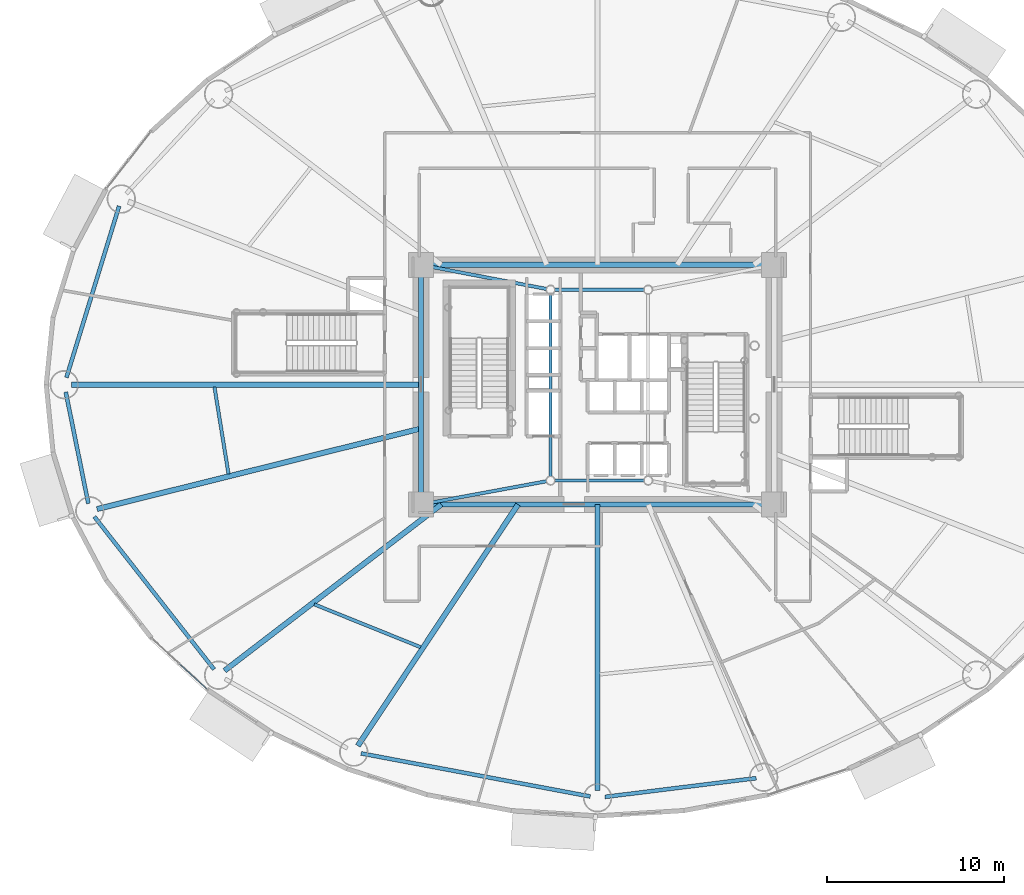
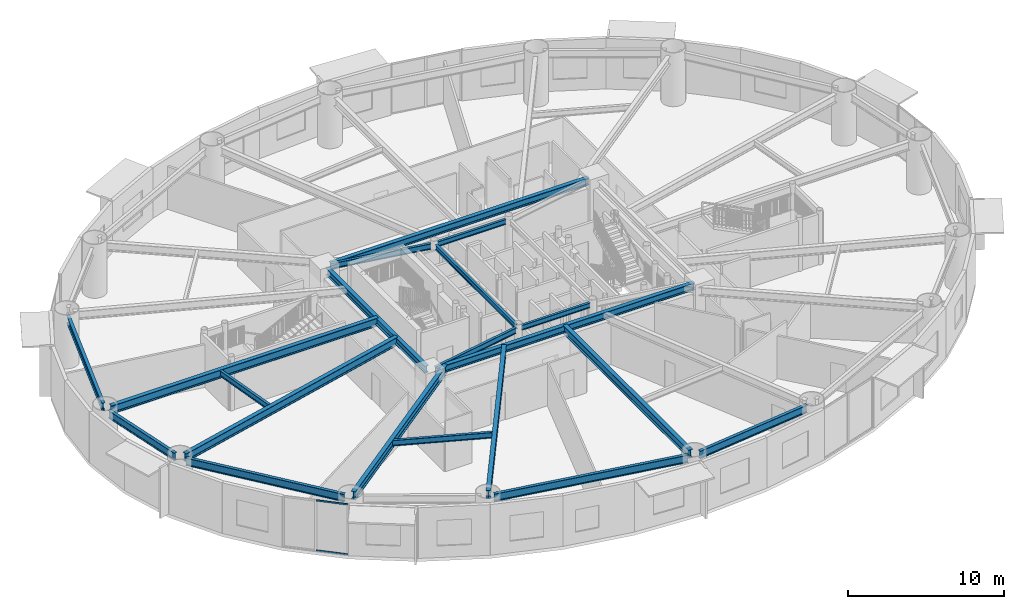
# One storey, part 5 of 28: 20 beams, 2 members, 1 element without a shape of its own.
"""IFC4 building model written with IfcOpenShell, lengths in metres."""

from ifc_helpers import new_model, si_unit, direction, frame, origin, origin_2d, place, context, subcontext, project, spatial, hollow_rectangle, i_section, extrude, source, transform, mapped, material, layer, layer_set, material_profile, profile_set, type_object, element, aggregate, save


model = new_model("IFC4")

# Units and contexts
model_context = context("Model", 3, precision=1e-05, world=origin(), true_north=direction((0.0, 1.0)))
body_context = subcontext(model_context, "Body", "Model", "MODEL_VIEW")
ifc_project = project(units=[si_unit("LENGTHUNIT", "METRE"), si_unit("AREAUNIT", "SQUARE_METRE"), si_unit("VOLUMEUNIT", "CUBIC_METRE"), si_unit("PLANEANGLEUNIT", "RADIAN"), si_unit("MASSUNIT", "GRAM", prefix="KILO")], contexts=[model_context])

# Site, building, storey
site_placement = place(None, origin())
site = spatial("IfcSite", under=ifc_project, at=site_placement, CompositionType="ELEMENT")
building_placement = place(site_placement, origin())
building = spatial("IfcBuilding", under=site, at=building_placement, Name="Linh Dai School and Residence Tower", CompositionType="ELEMENT")
storey_placement = place(building_placement, frame((0.0, 0.0, 36.60009765625)))
storey = spatial("IfcBuildingStorey", under=building, at=storey_placement, Name="L08", CompositionType="ELEMENT", Elevation=36.60009765625)

# Beams
ifc_material_1 = material(Name="Structural Steel S355JR", Category="steel")
ifc_material_profile_1 = material_profile(ifc_material_1, i_section(OverallWidth=0.219970703125, OverallDepth=0.60009765625, WebThickness=0.011962890625, FlangeThickness=0.01904296875, FilletRadius=0.02392578125, at=origin_2d()), Name="IPE 600")
ifc_profile_set_1 = profile_set([ifc_material_profile_1], Name="Structural Steel S355JR")
beam_type_1 = type_object("IfcBeamType", Name="BM-RB60", PredefinedType="BEAM", material=ifc_profile_set_1)
beam_1_placement = place(storey_placement, frame((9.041259765625, 37.062255859375, 3.64990234375), z_axis=(-0.293673329015, -0.95590584046, 0.0), x_axis=(0.95590584046, -0.293673329015, 0.0)))
element("IfcBeam", 1, at=beam_1_placement, inside=storey, type_object=beam_type_1, Name="L08 Perimeter Elliptical Ring Beam 08", PredefinedType="BEAM", context=body_context, shape_type="SweptSolid", body=[
    extrude(i_section(OverallWidth=0.219970703125, OverallDepth=0.60009765625, WebThickness=0.011962890625, FlangeThickness=0.01904296875, FilletRadius=0.02392578125, at=origin_2d()), origin(), (0.0, 0.0, 1.0), 10.1064453125),
])
beam_2_placement = place(storey_placement, frame((6.033447265625, 26.58837890625, 3.64990234375), z_axis=(0.198429171022, -0.980115230005, 0.0), x_axis=(0.980115230005, 0.198429171022, 0.0)))
element("IfcBeam", 2, at=beam_2_placement, inside=storey, type_object=beam_type_1, Name="L08 Perimeter Elliptical Ring Beam 09", PredefinedType="BEAM", context=body_context, shape_type="SweptSolid", body=[
    extrude(i_section(OverallWidth=0.219970703125, OverallDepth=0.60009765625, WebThickness=0.011962890625, FlangeThickness=0.01904296875, FilletRadius=0.02392578125, at=origin_2d()), origin(), (0.0, 0.0, 1.0), 6.41259765625),
])
beam_3_placement = place(storey_placement, frame((7.648193359375, 19.560791015625, 3.64990234375), z_axis=(0.616878670407, -0.787058260866, 0.0), x_axis=(0.787058260866, 0.616878670407, 0.0)))
element("IfcBeam", 3, at=beam_3_placement, inside=storey, type_object=beam_type_1, Name="L08 Perimeter Elliptical Ring Beam 10", PredefinedType="BEAM", context=body_context, shape_type="SweptSolid", body=[
    extrude(i_section(OverallWidth=0.219970703125, OverallDepth=0.60009765625, WebThickness=0.011962890625, FlangeThickness=0.01904296875, FilletRadius=0.02392578125, at=origin_2d()), origin(), (0.0, 0.0, 1.0), 10.926025390625),
])
beam_4_placement = place(storey_placement, frame((22.67431640625, 6.223388671875, 3.64990234375), z_axis=(0.982808389171, -0.184628465236, 0.0), x_axis=(0.184628465236, 0.982808389171, 0.0)))
element("IfcBeam", 4, at=beam_4_placement, inside=storey, type_object=beam_type_1, Name="L08 Perimeter Elliptical Ring Beam 12", PredefinedType="BEAM", context=body_context, shape_type="SweptSolid", body=[
    extrude(i_section(OverallWidth=0.219970703125, OverallDepth=0.60009765625, WebThickness=0.011962890625, FlangeThickness=0.01904296875, FilletRadius=0.02392578125, at=origin_2d()), origin(), (0.0, 0.0, 1.0), 13.138671875),
])
beam_5_placement = place(storey_placement, frame((36.416748046875, 3.771728515625, 3.64990234375), z_axis=(0.99240113372, 0.123044665842, 0.0), x_axis=(-0.123044665842, 0.99240113372, 0.0)))
element("IfcBeam", 5, at=beam_5_placement, inside=storey, type_object=beam_type_1, Name="L08 Perimeter Elliptical Ring Beam 13", PredefinedType="BEAM", context=body_context, shape_type="SweptSolid", body=[
    extrude(i_section(OverallWidth=0.219970703125, OverallDepth=0.60009765625, WebThickness=0.011962890625, FlangeThickness=0.01904296875, FilletRadius=0.02392578125, at=origin_2d()), origin(), (0.0, 0.0, 1.0), 8.58935546875),
])
ifc_material_profile_2 = material_profile(ifc_material_1, i_section(OverallWidth=0.300048828125, OverallDepth=0.550048828125, WebThickness=0.014892578125, FlangeThickness=0.029052734375, FilletRadius=0.027099609375, at=origin_2d()), Name="HEB 550")
ifc_profile_set_2 = profile_set([ifc_material_profile_2], Name="Structural Steel S355JR")
beam_type_2 = type_object("IfcBeamType", Name="BM-RG55", PredefinedType="BEAM", material=ifc_profile_set_2)
for number, where, z_axis, x_axis, name in (
    (6, (26.469970703125, 20.25, 3.6748046875), (1.0, 0.0, 0.0), (0.0, 1.0, 0.0), "L08 Core Perimeter Coupling Girder 1"),
    (7, (45.530029296875, 33.75, 3.6748046875), (-1.0, 0.0, 0.0), (0.0, -1.0, 0.0), "L08 Core Perimeter Coupling Girder 3"),
):
    element("IfcBeam", number, at=place(storey_placement, frame(where, z_axis=z_axis, x_axis=x_axis)), inside=storey, type_object=beam_type_2, Name=name, PredefinedType="BEAM", context=body_context, shape_type="SweptSolid", body=[
        extrude(i_section(OverallWidth=0.300048828125, OverallDepth=0.550048828125, WebThickness=0.014892578125, FlangeThickness=0.029052734375, FilletRadius=0.027099609375, at=origin_2d()), origin(), (0.0, 0.0, 1.0), 19.06005859375),
    ])
beam_6_placement = place(storey_placement, frame((26.050048828125, 33.330078125, 3.6748046875), z_axis=(0.0, -1.0, 0.0), x_axis=(1.0, 0.0, 0.0)))
element("IfcBeam", 8, at=beam_6_placement, inside=storey, type_object=beam_type_2, Name="L08 Core Perimeter Coupling Girder 4", PredefinedType="BEAM", context=body_context, shape_type="SweptSolid", body=[
    extrude(i_section(OverallWidth=0.300048828125, OverallDepth=0.550048828125, WebThickness=0.014892578125, FlangeThickness=0.029052734375, FilletRadius=0.027099609375, at=origin_2d()), origin(), (0.0, 0.0, 1.0), 12.66015625),
])
ifc_material_profile_3 = material_profile(ifc_material_1, i_section(OverallWidth=0.300048828125, OverallDepth=0.64990234375, WebThickness=0.01611328125, FlangeThickness=0.031005859375, FilletRadius=0.027099609375, at=origin_2d()), Name="HEB 650")
ifc_profile_set_3 = profile_set([ifc_material_profile_3], Name="Structural Steel S355JR")
beam_type_3 = type_object("IfcBeamType", Name="BM-RG65", PredefinedType="BEAM", material=ifc_profile_set_3)
beam_7_placement = place(storey_placement, frame((26.050048828125, 27.0, 3.625), z_axis=(-1.0, 0.0, 0.0), x_axis=(0.0, -1.0, 0.0)))
element("IfcBeam", 9, at=beam_7_placement, inside=storey, type_object=beam_type_3, Name="L08 Primary Radial Floor Girder 09", PredefinedType="BEAM", context=body_context, shape_type="SweptSolid", body=[
    extrude(i_section(OverallWidth=0.300048828125, OverallDepth=0.64990234375, WebThickness=0.01611328125, FlangeThickness=0.031005859375, FilletRadius=0.027099609375, at=origin_2d()), origin(), (0.0, 0.0, 1.0), 19.679931640625),
])
beam_8_placement = place(storey_placement, frame((26.050048828125, 24.52783203125, 3.625), z_axis=(-0.970493481328, -0.241127357843, 0.0), x_axis=(0.241127357843, -0.970493481328, 0.0)))
element("IfcBeam", 10, at=beam_8_placement, inside=storey, type_object=beam_type_3, Name="L08 Primary Radial Floor Girder 10", PredefinedType="BEAM", context=body_context, shape_type="SweptSolid", body=[
    extrude(i_section(OverallWidth=0.300048828125, OverallDepth=0.64990234375, WebThickness=0.01611328125, FlangeThickness=0.031005859375, FilletRadius=0.027099609375, at=origin_2d()), origin(), (0.0, 0.0, 1.0), 18.80810546875),
])
beam_9_placement = place(storey_placement, frame((27.195068359375, 20.25, 3.625), z_axis=(-0.793637764155, -0.608390581212, 0.0), x_axis=(0.608390581212, -0.793637764155, 0.0)))
element("IfcBeam", 11, at=beam_9_placement, inside=storey, type_object=beam_type_3, Name="L08 Primary Radial Floor Girder 11", PredefinedType="BEAM", context=body_context, shape_type="SweptSolid", body=[
    extrude(i_section(OverallWidth=0.300048828125, OverallDepth=0.64990234375, WebThickness=0.01611328125, FlangeThickness=0.031005859375, FilletRadius=0.027099609375, at=origin_2d()), origin(), (0.0, 0.0, 1.0), 15.390625),
])
beam_10_placement = place(storey_placement, frame((31.52001953125, 20.25, 3.625), z_axis=(-0.55300421354, -0.833178456158, 0.0), x_axis=(0.833178456158, -0.55300421354, 0.0)))
element("IfcBeam", 12, at=beam_10_placement, inside=storey, type_object=beam_type_3, Name="L08 Primary Radial Floor Girder 12", PredefinedType="BEAM", context=body_context, shape_type="SweptSolid", body=[
    extrude(i_section(OverallWidth=0.300048828125, OverallDepth=0.64990234375, WebThickness=0.01611328125, FlangeThickness=0.031005859375, FilletRadius=0.027099609375, at=origin_2d()), origin(), (0.0, 0.0, 1.0), 16.322021484375),
])
beam_11_placement = place(storey_placement, frame((36.0, 20.25, 3.625), z_axis=(0.0, -1.0, 0.0), x_axis=(1.0, 0.0, 0.0)))
element("IfcBeam", 13, at=beam_11_placement, inside=storey, type_object=beam_type_3, Name="L08 Primary Radial Floor Girder 13", PredefinedType="BEAM", context=body_context, shape_type="SweptSolid", body=[
    extrude(i_section(OverallWidth=0.300048828125, OverallDepth=0.64990234375, WebThickness=0.01611328125, FlangeThickness=0.031005859375, FilletRadius=0.027099609375, at=origin_2d()), origin(), (0.0, 0.0, 1.0), 16.110107421875),
])
ifc_material_profile_4 = material_profile(ifc_material_1, i_section(OverallWidth=0.179931640625, OverallDepth=0.39990234375, WebThickness=0.008544921875, FlangeThickness=0.013427734375, FilletRadius=0.02099609375, at=origin_2d()), Name="IPE 400")
ifc_profile_set_4 = profile_set([ifc_material_profile_4], Name="Structural Steel S355JR")
beam_type_4 = type_object("IfcBeamType", Name="BM-SB40", PredefinedType="BEAM", material=ifc_profile_set_4)
for number, where, z_axis, x_axis, name in (
    (14, (33.573974609375, 21.60009765625, 3.75), (1.0, 0.0, 0.0), (0.0, 1.0, 0.0), "L08 Core Mast Pier Tie Beam 1"),
    (15, (38.6259765625, 32.35009765625, 3.75), (-1.0, 0.0, 0.0), (0.0, -1.0, 0.0), "L08 Core Mast Pier Tie Beam 3"),
):
    element("IfcBeam", number, at=place(storey_placement, frame(where, z_axis=z_axis, x_axis=x_axis)), inside=storey, type_object=beam_type_4, Name=name, PredefinedType="BEAM", context=body_context, shape_type="SweptSolid", body=[
        extrude(i_section(OverallWidth=0.179931640625, OverallDepth=0.39990234375, WebThickness=0.008544921875, FlangeThickness=0.013427734375, FilletRadius=0.02099609375, at=origin_2d()), origin(), (0.0, 0.0, 1.0), 5.052001953125),
    ])
beam_12_placement = place(storey_placement, frame((33.35009765625, 32.1259765625, 3.75), z_axis=(0.0, -1.0, 0.0), x_axis=(1.0, 0.0, 0.0)))
element("IfcBeam", 16, at=beam_12_placement, inside=storey, type_object=beam_type_4, Name="L08 Core Mast Pier Tie Beam 4", PredefinedType="BEAM", context=body_context, shape_type="SweptSolid", body=[
    extrude(i_section(OverallWidth=0.179931640625, OverallDepth=0.39990234375, WebThickness=0.008544921875, FlangeThickness=0.013427734375, FilletRadius=0.02099609375, at=origin_2d()), origin(), (0.0, 0.0, 1.0), 10.302001953125),
])
ifc_material_profile_5 = material_profile(ifc_material_1, i_section(OverallWidth=0.18994140625, OverallDepth=0.449951171875, WebThickness=0.009521484375, FlangeThickness=0.0146484375, FilletRadius=0.02099609375, at=origin_2d()), Name="IPE 450")
ifc_profile_set_5 = profile_set([ifc_material_profile_5], Name="Structural Steel S355JR")
beam_type_5 = type_object("IfcBeamType", Name="BM-SB45", PredefinedType="BEAM", material=ifc_profile_set_5)
beam_13_placement = place(storey_placement, frame((26.462890625, 20.326416015625, 3.724853515625), z_axis=(0.983326152819, 0.18185070025, 0.0), x_axis=(-0.18185070025, 0.983326152819, 0.0)))
element("IfcBeam", 17, at=beam_13_placement, inside=storey, type_object=beam_type_5, Name="L08 Core Corner-to-Mast Pier Beam 1", PredefinedType="BEAM", context=body_context, shape_type="SweptSolid", body=[
    extrude(i_section(OverallWidth=0.18994140625, OverallDepth=0.449951171875, WebThickness=0.009521484375, FlangeThickness=0.0146484375, FilletRadius=0.02099609375, at=origin_2d()), origin(), (0.0, 0.0, 1.0), 6.77978515625),
])
beam_14_placement = place(storey_placement, frame((26.46240234375, 33.6708984375, 3.724853515625), z_axis=(0.982100456787, -0.188357884832, 0.0), x_axis=(0.188357884832, 0.982100456787, 0.0)))
element("IfcBeam", 18, at=beam_14_placement, inside=storey, type_object=beam_type_5, Name="L08 Core Corner-to-Mast Pier Beam 4", PredefinedType="BEAM", context=body_context, shape_type="SweptSolid", body=[
    extrude(i_section(OverallWidth=0.18994140625, OverallDepth=0.449951171875, WebThickness=0.009521484375, FlangeThickness=0.0146484375, FilletRadius=0.02099609375, at=origin_2d()), origin(), (0.0, 0.0, 1.0), 6.789306640625),
])
beam_15_placement = place(storey_placement, frame((14.412841796875, 26.87158203125, 3.724853515625), z_axis=(0.159655745546, -0.987172752316, 0.0), x_axis=(0.987172752316, 0.159655745546, 0.0)))
element("IfcBeam", 19, at=beam_15_placement, inside=storey, type_object=beam_type_5, Name="L08 Secondary Circumferential Floor Beam 05", PredefinedType="BEAM", context=body_context, shape_type="SweptSolid", body=[
    extrude(i_section(OverallWidth=0.18994140625, OverallDepth=0.449951171875, WebThickness=0.009521484375, FlangeThickness=0.0146484375, FilletRadius=0.02099609375, at=origin_2d()), origin(), (0.0, 0.0, 1.0), 4.96826171875),
])
beam_16_placement = place(storey_placement, frame((20.037841796875, 14.622314453125, 3.724853515625), z_axis=(0.927532778422, -0.3737418159, 0.0), x_axis=(0.3737418159, 0.927532778422, 0.0)))
element("IfcBeam", 20, at=beam_16_placement, inside=storey, type_object=beam_type_5, Name="L08 Secondary Circumferential Floor Beam 06", PredefinedType="BEAM", context=body_context, shape_type="SweptSolid", body=[
    extrude(i_section(OverallWidth=0.18994140625, OverallDepth=0.449951171875, WebThickness=0.009521484375, FlangeThickness=0.0146484375, FilletRadius=0.02099609375, at=origin_2d()), origin(), (0.0, 0.0, 1.0), 6.459716796875),
])

# Curtain wall, members
ifc_material_2 = material(Name="Aluminium Anodised Curtain Wall", Category="aluminium")
ifc_layer = layer(ifc_material_2, 0.159912109375)
ifc_layer_set = layer_set([ifc_layer], Name="Aluminium Anodised Curtain Wall")
curtain_wall_type = type_object("IfcCurtainWallType", Name="CW-SYS-3", PredefinedType="USERDEFINED", material=ifc_layer_set)
curtain_wall_placement = place(storey_placement, origin())
curtain_wall = element("IfcCurtainWall", 21, at=curtain_wall_placement, inside=storey, type_object=curtain_wall_type, Name="L08 CW3 Curtain Wall 25", ObjectType="RIBBON CURTAIN WALL", PredefinedType="USERDEFINED")
ifc_material_3 = material(Name="Aluminium Alloy 6063-T6", Category="aluminium")
ifc_material_profile_6 = material_profile(ifc_material_3, hollow_rectangle(XDim=0.054931640625, YDim=0.1201171875, WallThickness=0.00390625, at=origin_2d()), Name="RHS 120x55x4")
ifc_profile_set_6 = profile_set([ifc_material_profile_6], Name="Aluminium Alloy 6063-T6")
member_type = type_object("IfcMemberType", Name="CW-SYS-3-TRN", PredefinedType="USERDEFINED", material=ifc_profile_set_6)
shared_shape = source(origin(), body_context, "Body", "SweptSolid", [
    extrude(hollow_rectangle(XDim=0.054931640625, YDim=0.1201171875, WallThickness=0.00390625, at=origin_2d()), origin(), (0.0, 0.0, 1.0), 2.064453125),
])
member_1_placement = place(storey_placement, frame((13.974853515625, 9.861083984375, 0.02734375), z_axis=(-0.737129594686, 0.675751404466, 0.0), x_axis=(-0.675751404466, -0.737129594686, 0.0)))
member_1 = element("IfcMember", 22, at=member_1_placement, type_object=member_type, Name="CW3 transom 1.1", ObjectType="TRANSOM", PredefinedType="USERDEFINED", context=body_context, shape_type="MappedRepresentation", body=[
    mapped(shared_shape, transform((0.0, 0.0, 0.0), x_axis=(1.0, 0.0, 0.0), y_axis=(0.0, 1.0, 0.0), z_axis=(0.0, 0.0, 1.0), scale=1.0)),
])
member_2_placement = place(storey_placement, frame((13.974853515625, 9.861083984375, 3.92236328125), z_axis=(-0.737129594686, 0.675751404466, 0.0), x_axis=(-0.675751404466, -0.737129594686, 0.0)))
member_2 = element("IfcMember", 23, at=member_2_placement, type_object=member_type, Name="CW3 transom 1.2", ObjectType="TRANSOM", PredefinedType="USERDEFINED", context=body_context, shape_type="MappedRepresentation", body=[
    mapped(shared_shape, transform((0.0, 0.0, 0.0), x_axis=(1.0, 0.0, 0.0), y_axis=(0.0, 1.0, 0.0), z_axis=(0.0, 0.0, 1.0), scale=1.0)),
])
aggregate(curtain_wall, [member_1, member_2])

save(model, "model.ifc")
